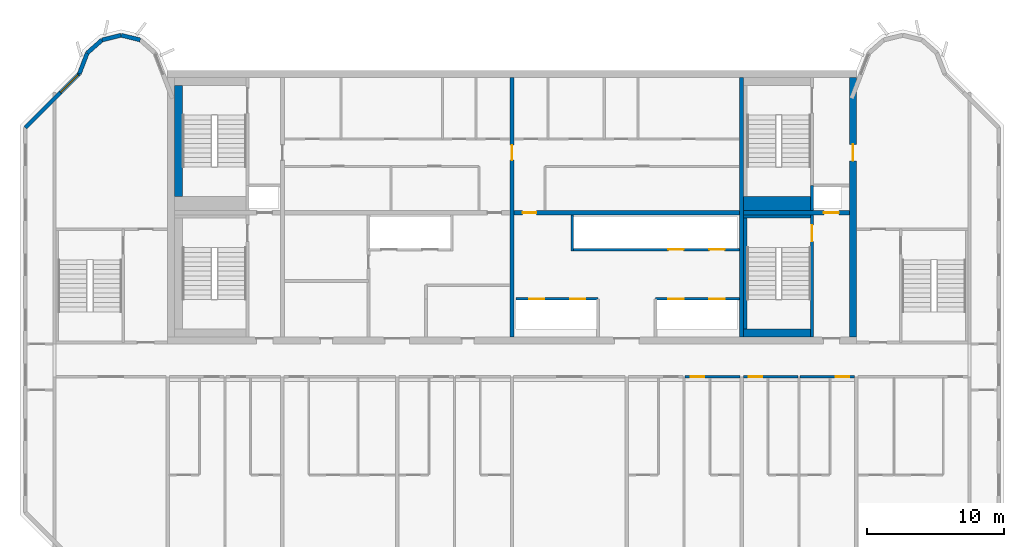
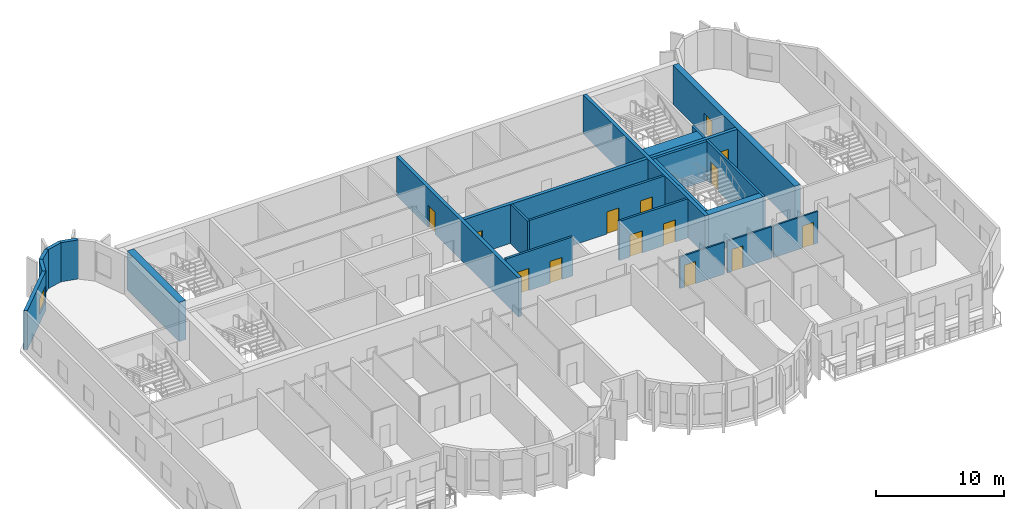
# One storey, part 6 of 12: 24 walls, 14 doors, 1 window, 15 openings.
"""IFC4 building model written with IfcOpenShell, lengths in metres."""

from ifc_helpers import new_model, si_unit, direction, frame, frame_2d, origin, place, context, subcontext, project, spatial, rectangle, extrude, source, transform, mapped, material, layer, layer_set, type_object, element, fill, save


model = new_model("IFC4")

# Units and contexts
model_context = context("Model", 3, precision=1e-05, world=origin(), true_north=direction((0.0, 1.0)))
body_context = subcontext(model_context, "Body", "Model", "MODEL_VIEW")
ifc_project = project(units=[si_unit("LENGTHUNIT", "METRE"), si_unit("AREAUNIT", "SQUARE_METRE"), si_unit("VOLUMEUNIT", "CUBIC_METRE"), si_unit("PLANEANGLEUNIT", "RADIAN"), si_unit("MASSUNIT", "GRAM", prefix="KILO")], contexts=[model_context])

# Site, building, storey
site_placement = place(None, origin())
site = spatial("IfcSite", under=ifc_project, at=site_placement, CompositionType="ELEMENT")
building_placement = place(site_placement, origin())
building = spatial("IfcBuilding", under=site, at=building_placement, Name="Vanashikhar Sky Hotel", CompositionType="ELEMENT")
storey_placement = place(building_placement, frame((0.0, 0.0, 301.699951171875)))
storey = spatial("IfcBuildingStorey", under=building, at=storey_placement, Name="L72", CompositionType="ELEMENT", Elevation=301.699951171875)

# Wall, opening, door
ifc_material_1 = material(Name="Concrete M50", Category="concrete")
ifc_layer_1 = layer(ifc_material_1, 0.5)
ifc_layer_set_1 = layer_set([ifc_layer_1], Name="RC core shell wall 500 Concrete M50")
wall_type_1 = type_object("IfcWallType", Name="RC core shell wall 500 Concrete M50", PredefinedType="SHEAR", material=ifc_layer_set_1)
shared_shape_1 = source(origin(), body_context, "Body", "SweptSolid", [
    extrude(rectangle(XDim=19.0, YDim=0.5, at=frame_2d((9.5, 0.0))), origin(), (0.0, 0.0, 1.0), 3.719970703125),
])
wall_1_placement = place(storey_placement, frame((75.35009765625, 22.5, 0.0), z_axis=(0.0, 0.0, 1.0), x_axis=(0.0, 1.0, 0.0)))
wall_1 = element("IfcWall", 1, at=wall_1_placement, inside=storey, type_object=wall_type_1, Name="KW-L72-KE", PredefinedType="SHEAR", context=body_context, shape_type="MappedRepresentation", body=[
    mapped(shared_shape_1, transform((0.0, 0.0, 0.0), scale=1.0)),
])
shared_shape_2 = source(origin(), body_context, "Body", "SweptSolid", [
    extrude(rectangle(XDim=1.199951171875, YDim=2.10009765625, at=frame_2d((0.60009765625, 1.050048828125))), frame((0.0, 0.260009765625, 0.0), z_axis=(0.0, -1.0, 0.0), x_axis=(1.0, 0.0, 0.0)), (0.0, 0.0, 1.0), 0.52001953125),
])
opening_1_placement = place(wall_1_placement, frame((12.89990234375, 0.0, 0.0)))
opening_1 = element("IfcOpeningElement", 2, at=opening_1_placement, cuts=wall_1, Name="Opening DC-4-D", PredefinedType="OPENING", context=body_context, shape_type="MappedRepresentation", body=[
    mapped(shared_shape_2, transform((0.0, 0.0, 0.0), scale=1.0)),
])
ifc_material_2 = material(Name="Steel", Category="steel")
door_type_1 = type_object("IfcDoorType", Name="Service door 1200 FD120", OperationType="NOTDEFINED", PredefinedType="DOOR", material=ifc_material_2)
shared_shape_3 = source(origin(), body_context, "Body", "SweptSolid", [
    extrude(rectangle(XDim=1.199951171875, YDim=2.10009765625, at=frame_2d((0.60009765625, 1.050048828125))), frame((0.0, 0.02490234375, 0.0), z_axis=(0.0, -1.0, 0.0), x_axis=(1.0, 0.0, 0.0)), (0.0, 0.0, 1.0), 0.050048828125),
])
door_1_placement = place(opening_1_placement, origin())
door_1 = element("IfcDoor", 3, at=door_1_placement, inside=storey, type_object=door_type_1, Name="Service door 1200 FD120", OperationType="SINGLE_SWING_LEFT", OverallHeight=2.10009765625, OverallWidth=1.199951171875, PredefinedType="DOOR", context=body_context, shape_type="MappedRepresentation", body=[
    mapped(shared_shape_3, transform((0.0, 0.0, 0.0), scale=1.0)),
])
fill(opening_1, door_1)

ifc_layer_2 = layer(ifc_material_1, 0.300048828125)
ifc_layer_set_2 = layer_set([ifc_layer_2], Name="RC core inner wall 300 Concrete M50")
wall_type_2 = type_object("IfcWallType", Name="RC core inner wall 300 Concrete M50", PredefinedType="SHEAR", material=ifc_layer_set_2)
shared_shape_4 = source(origin(), body_context, "Body", "SweptSolid", [
    extrude(rectangle(XDim=19.0, YDim=0.300048828125, at=frame_2d((9.5, 0.0))), origin(), (0.0, 0.0, 1.0), 3.719970703125),
])
wall_2_placement = place(storey_placement, frame((50.39990234375, 22.5, 0.0), z_axis=(0.0, 0.0, 1.0), x_axis=(0.0, 1.0, 0.0)))
wall_2 = element("IfcWall", 4, at=wall_2_placement, inside=storey, type_object=wall_type_2, Name="KW-L72-KX2", PredefinedType="SHEAR", context=body_context, shape_type="MappedRepresentation", body=[
    mapped(shared_shape_4, transform((0.0, 0.0, 0.0), scale=1.0)),
])
shared_shape_5 = source(origin(), body_context, "Body", "SweptSolid", [
    extrude(rectangle(XDim=1.10009765625, YDim=2.10009765625, at=frame_2d((0.550048828125, 1.050048828125))), frame((0.0, 0.16015625, 0.0), z_axis=(0.0, -1.0, 0.0), x_axis=(1.0, 0.0, 0.0)), (0.0, 0.0, 1.0), 0.320068359375),
])
opening_2_placement = place(wall_2_placement, frame((12.949951171875, 0.0, 0.0)))
opening_2 = element("IfcOpeningElement", 5, at=opening_2_placement, cuts=wall_2, Name="Opening DC-4-C", PredefinedType="OPENING", context=body_context, shape_type="MappedRepresentation", body=[
    mapped(shared_shape_5, transform((0.0, 0.0, 0.0), scale=1.0)),
])
door_type_2 = type_object("IfcDoorType", Name="Service door 1100 FD60", OperationType="NOTDEFINED", PredefinedType="DOOR", material=ifc_material_2)
shared_shape_6 = source(origin(), body_context, "Body", "SweptSolid", [
    extrude(rectangle(XDim=1.10009765625, YDim=2.10009765625, at=frame_2d((0.550048828125, 1.050048828125))), frame((0.0, 0.02490234375, 0.0), z_axis=(0.0, -1.0, 0.0), x_axis=(1.0, 0.0, 0.0)), (0.0, 0.0, 1.0), 0.050048828125),
])
door_2_placement = place(opening_2_placement, origin())
door_2 = element("IfcDoor", 6, at=door_2_placement, inside=storey, type_object=door_type_2, Name="Service door 1100 FD60", OperationType="SINGLE_SWING_LEFT", OverallHeight=2.10009765625, OverallWidth=1.10009765625, PredefinedType="DOOR", context=body_context, shape_type="MappedRepresentation", body=[
    mapped(shared_shape_6, transform((0.0, 0.0, 0.0), scale=1.0)),
])
fill(opening_2, door_2)

# Wall
wall_3_placement = place(storey_placement, frame((67.199951171875, 22.5, 0.0), z_axis=(0.0, 0.0, 1.0), x_axis=(0.0, 1.0, 0.0)))
element("IfcWall", 7, at=wall_3_placement, inside=storey, type_object=wall_type_2, Name="KW-L72-KX3", PredefinedType="SHEAR", context=body_context, shape_type="MappedRepresentation", body=[
    mapped(shared_shape_4, transform((0.0, 0.0, 0.0), scale=1.0)),
])

# Wall, opening, door
shared_shape_7 = source(origin(), body_context, "Body", "SweptSolid", [
    extrude(rectangle(XDim=7.75, YDim=0.300048828125, at=frame_2d((3.875, 0.0))), origin(), (0.0, 0.0, 1.0), 3.719970703125),
])
wall_4_placement = place(storey_placement, frame((67.35009765625, 31.60009765625, 0.0), z_axis=(0.0, 0.0, 1.0), x_axis=(1.0, 0.0, 0.0)))
wall_4 = element("IfcWall", 8, at=wall_4_placement, inside=storey, type_object=wall_type_2, Name="KW-L72-KY4", PredefinedType="SHEAR", context=body_context, shape_type="MappedRepresentation", body=[
    mapped(shared_shape_7, transform((0.0, 0.0, 0.0), scale=1.0)),
])
opening_3_placement = place(wall_4_placement, frame((5.875, 0.0, 0.0)))
opening_3 = element("IfcOpeningElement", 9, at=opening_3_placement, cuts=wall_4, Name="Opening LD", PredefinedType="OPENING", context=body_context, shape_type="MappedRepresentation", body=[
    mapped(shared_shape_5, transform((0.0, 0.0, 0.0), scale=1.0)),
])
ifc_material_3 = material(Name="Stainless steel", Category="steel")
door_type_3 = type_object("IfcDoorType", Name="Lift landing door 1100", OperationType="NOTDEFINED", PredefinedType="DOOR", material=ifc_material_3)
door_3_placement = place(opening_3_placement, origin())
door_3 = element("IfcDoor", 10, at=door_3_placement, inside=storey, type_object=door_type_3, Name="Lift landing door 1100", OperationType="SLIDING_TO_LEFT", OverallHeight=2.10009765625, OverallWidth=1.10009765625, PredefinedType="DOOR", context=body_context, shape_type="MappedRepresentation", body=[
    mapped(shared_shape_6, transform((0.0, 0.0, 0.0), scale=1.0)),
])
fill(opening_3, door_3)

shared_shape_8 = source(origin(), body_context, "Body", "SweptSolid", [
    extrude(rectangle(XDim=16.5, YDim=0.300048828125, at=frame_2d((8.25, 0.0))), origin(), (0.0, 0.0, 1.0), 3.719970703125),
])
wall_5_placement = place(storey_placement, frame((50.550048828125, 31.60009765625, 0.0), z_axis=(0.0, 0.0, 1.0), x_axis=(1.0, 0.0, 0.0)))
wall_5 = element("IfcWall", 11, at=wall_5_placement, inside=storey, type_object=wall_type_2, Name="KW-L72-KY3", PredefinedType="SHEAR", context=body_context, shape_type="MappedRepresentation", body=[
    mapped(shared_shape_8, transform((0.0, 0.0, 0.0), scale=1.0)),
])
shared_shape_9 = source(origin(), body_context, "Body", "SweptSolid", [
    extrude(rectangle(XDim=1.0, YDim=2.10009765625, at=frame_2d((0.5, 1.050048828125))), frame((0.0, 0.16015625, 0.0), z_axis=(0.0, -1.0, 0.0), x_axis=(1.0, 0.0, 0.0)), (0.0, 0.0, 1.0), 0.320068359375),
])
opening_4_placement = place(wall_5_placement, frame((0.625, 0.0, 0.0)))
opening_4 = element("IfcOpeningElement", 12, at=opening_4_placement, cuts=wall_5, Name="Opening DC-4", PredefinedType="OPENING", context=body_context, shape_type="MappedRepresentation", body=[
    mapped(shared_shape_9, transform((0.0, 0.0, 0.0), scale=1.0)),
])
door_type_4 = type_object("IfcDoorType", Name="Service door 1000 FD60", OperationType="NOTDEFINED", PredefinedType="DOOR", material=ifc_material_2)
shared_shape_10 = source(origin(), body_context, "Body", "SweptSolid", [
    extrude(rectangle(XDim=1.0, YDim=2.10009765625, at=frame_2d((0.5, 1.050048828125))), frame((0.0, 0.02490234375, 0.0), z_axis=(0.0, -1.0, 0.0), x_axis=(1.0, 0.0, 0.0)), (0.0, 0.0, 1.0), 0.050048828125),
])
door_4_placement = place(opening_4_placement, origin())
door_4 = element("IfcDoor", 13, at=door_4_placement, inside=storey, type_object=door_type_4, Name="Service door 1000 FD60", OperationType="SINGLE_SWING_RIGHT", OverallHeight=2.10009765625, OverallWidth=1.0, PredefinedType="DOOR", context=body_context, shape_type="MappedRepresentation", body=[
    mapped(shared_shape_10, transform((0.0, 0.0, 0.0), scale=1.0)),
])
fill(opening_4, door_4)

# Wall, opening, window
ifc_layer_3 = layer(ifc_material_1, 0.300048828125)
ifc_layer_set_3 = layer_set([ifc_layer_3], Name="Lobe wall 300")
wall_type_3 = type_object("IfcWallType", Name="Lobe wall 300", PredefinedType="SOLIDWALL", material=ifc_layer_set_3)
shared_shape_11 = source(origin(), body_context, "Body", "SweptSolid", [
    extrude(rectangle(XDim=5.576416015625, YDim=0.300048828125, at=frame_2d((2.7880859375, 0.0))), origin(), (0.0, 0.0, 1.0), 3.719970703125),
])
wall_6_placement = place(storey_placement, frame((18.7431640625, 41.77734375, 0.0), z_axis=(0.0, 0.0, 1.0), x_axis=(-0.707106781187, -0.707106781187, 0.0)))
wall_6 = element("IfcWall", 14, at=wall_6_placement, inside=storey, type_object=wall_type_3, Name="Corner wall", PredefinedType="SOLIDWALL", context=body_context, shape_type="MappedRepresentation", body=[
    mapped(shared_shape_11, transform((0.0, 0.0, 0.0), scale=1.0)),
])
shared_shape_12 = source(origin(), body_context, "Body", "SweptSolid", [
    extrude(rectangle(XDim=1.800048828125, YDim=1.5, at=frame_2d((0.89990234375, 0.75))), frame((0.0, 0.16015625, 0.0), z_axis=(0.0, -1.0, 0.0), x_axis=(1.0, 0.0, 0.0)), (0.0, 0.0, 1.0), 0.320068359375),
])
opening_5_placement = place(wall_6_placement, frame((0.135498046875, 0.0, 0.89990234375)))
opening_5 = element("IfcOpeningElement", 15, at=opening_5_placement, cuts=wall_6, Name="Opening WN-4", PredefinedType="OPENING", context=body_context, shape_type="MappedRepresentation", body=[
    mapped(shared_shape_12, transform((0.0, 0.0, 0.0), scale=1.0)),
])
ifc_material_4 = material(Name="Glass", Category="glass")
window_type = type_object("IfcWindowType", Name="Corner window 1800 x 1500", PartitioningType="SINGLE_PANEL", PredefinedType="WINDOW", material=ifc_material_4)
shared_shape_13 = source(origin(), body_context, "Body", "SweptSolid", [
    extrude(rectangle(XDim=1.800048828125, YDim=1.5, at=frame_2d((0.89990234375, 0.75))), frame((0.0, 0.030029296875, 0.0), z_axis=(0.0, -1.0, 0.0), x_axis=(1.0, 0.0, 0.0)), (0.0, 0.0, 1.0), 0.06005859375),
])
window_placement = place(opening_5_placement, origin())
window = element("IfcWindow", 16, at=window_placement, inside=storey, type_object=window_type, Name="Window WN-4", OverallHeight=1.5, OverallWidth=1.800048828125, PartitioningType="SINGLE_PANEL", PredefinedType="WINDOW", context=body_context, shape_type="MappedRepresentation", body=[
    mapped(shared_shape_13, transform((0.0, 0.0, 0.0), scale=1.0)),
])
fill(opening_5, window)

# Walls
shared_shape_14 = source(origin(), body_context, "Body", "SweptSolid", [
    extrude(rectangle(XDim=1.6220703125, YDim=0.300048828125, at=frame_2d((0.81103515625, 0.0))), origin(), (0.0, 0.0, 1.0), 3.719970703125),
])
wall_7_placement = place(storey_placement, frame((19.323486328125, 43.2919921875, 0.0), z_axis=(0.0, 0.0, 1.0), x_axis=(-0.357778527068, -0.933806471154, 0.0)))
element("IfcWall", 17, at=wall_7_placement, inside=storey, type_object=wall_type_3, Name="Lobe wall", PredefinedType="SOLIDWALL", context=body_context, shape_type="MappedRepresentation", body=[
    mapped(shared_shape_14, transform((0.0, 0.0, 0.0), scale=1.0)),
])
shared_shape_15 = source(origin(), body_context, "Body", "SweptSolid", [
    extrude(rectangle(XDim=1.43994140625, YDim=0.300048828125, at=frame_2d((0.719970703125, 0.0))), origin(), (0.0, 0.0, 1.0), 3.719970703125),
])
wall_8_placement = place(storey_placement, frame((20.40283203125, 44.2451171875, 0.0), z_axis=(0.0, 0.0, 1.0), x_axis=(-0.74957555648, -0.661918790432, 0.0)))
element("IfcWall", 18, at=wall_8_placement, inside=storey, type_object=wall_type_3, Name="Lobe wall", PredefinedType="SOLIDWALL", context=body_context, shape_type="MappedRepresentation", body=[
    mapped(shared_shape_15, transform((0.0, 0.0, 0.0), scale=1.0)),
])
shared_shape_16 = source(origin(), body_context, "Body", "SweptSolid", [
    extrude(rectangle(XDim=1.438720703125, YDim=0.300048828125, at=frame_2d((0.71923828125, 0.0))), origin(), (0.0, 0.0, 1.0), 3.719970703125),
])
wall_9_placement = place(storey_placement, frame((21.800048828125, 44.588134765625, 0.0), z_axis=(0.0, 0.0, 1.0), x_axis=(-0.971161932466, -0.238420848351, 0.0)))
element("IfcWall", 19, at=wall_9_placement, inside=storey, type_object=wall_type_3, Name="Lobe wall", PredefinedType="SOLIDWALL", context=body_context, shape_type="MappedRepresentation", body=[
    mapped(shared_shape_16, transform((0.0, 0.0, 0.0), scale=1.0)),
])
shared_shape_17 = source(origin(), body_context, "Body", "SweptSolid", [
    extrude(rectangle(XDim=1.4384765625, YDim=0.300048828125, at=frame_2d((0.71923828125, 0.0))), origin(), (0.0, 0.0, 1.0), 3.719970703125),
])
wall_10_placement = place(storey_placement, frame((23.197021484375, 44.2451171875, 0.0), z_axis=(0.0, 0.0, 1.0), x_axis=(-0.971152283879, 0.238460146601, 0.0)))
element("IfcWall", 20, at=wall_10_placement, inside=storey, type_object=wall_type_3, Name="Lobe wall", PredefinedType="SOLIDWALL", context=body_context, shape_type="MappedRepresentation", body=[
    mapped(shared_shape_17, transform((0.0, 0.0, 0.0), scale=1.0)),
])

# Wall, openings, doors
ifc_material_5 = material(Name="Concrete M40", Category="concrete")
ifc_layer_4 = layer(ifc_material_5, 0.199951171875)
ifc_layer_set_4 = layer_set([ifc_layer_4], Name="Shaft wall 200")
wall_type_4 = type_object("IfcWallType", Name="Shaft wall 200", PredefinedType="SOLIDWALL", material=ifc_layer_set_4)
shared_shape_18 = source(origin(), body_context, "Body", "SweptSolid", [
    extrude(rectangle(XDim=6.0, YDim=0.199951171875, at=frame_2d((3.0, 0.0))), origin(), (0.0, 0.0, 1.0), 3.719970703125),
])
wall_11_placement = place(storey_placement, frame((56.699951171875, 25.300048828125, 0.0), z_axis=(0.0, 0.0, 1.0), x_axis=(-1.0, 0.0, 0.0)))
wall_11 = element("IfcWall", 21, at=wall_11_placement, inside=storey, type_object=wall_type_4, Name="Shaft wall 200", PredefinedType="SOLIDWALL", context=body_context, shape_type="MappedRepresentation", body=[
    mapped(shared_shape_18, transform((0.0, 0.0, 0.0), scale=1.0)),
])
shared_shape_19 = source(origin(), body_context, "Body", "SweptSolid", [
    extrude(rectangle(XDim=1.10009765625, YDim=2.10009765625, at=frame_2d((0.550048828125, 1.050048828125))), frame((0.0, 0.10986328125, 0.0), z_axis=(0.0, -1.0, 0.0), x_axis=(1.0, 0.0, 0.0)), (0.0, 0.0, 1.0), 0.219970703125),
])
opening_6_placement = place(wall_11_placement, frame((0.949951171875, 0.0, 0.0)))
opening_6 = element("IfcOpeningElement", 22, at=opening_6_placement, cuts=wall_11, Name="Opening LD", PredefinedType="OPENING", context=body_context, shape_type="MappedRepresentation", body=[
    mapped(shared_shape_19, transform((0.0, 0.0, 0.0), scale=1.0)),
])
opening_7_placement = place(wall_11_placement, frame((3.949951171875, 0.0, 0.0)))
opening_7 = element("IfcOpeningElement", 23, at=opening_7_placement, cuts=wall_11, Name="Opening LD", PredefinedType="OPENING", context=body_context, shape_type="MappedRepresentation", body=[
    mapped(shared_shape_19, transform((0.0, 0.0, 0.0), scale=1.0)),
])
door_5_placement = place(opening_6_placement, origin())
door_5 = element("IfcDoor", 24, at=door_5_placement, inside=storey, type_object=door_type_3, Name="Lift landing door 1100", OperationType="SLIDING_TO_RIGHT", OverallHeight=2.10009765625, OverallWidth=1.10009765625, PredefinedType="DOOR", context=body_context, shape_type="MappedRepresentation", body=[
    mapped(shared_shape_6, transform((0.0, 0.0, 0.0), scale=1.0)),
])
fill(opening_6, door_5)
door_6_placement = place(opening_7_placement, origin())
door_6 = element("IfcDoor", 25, at=door_6_placement, inside=storey, type_object=door_type_3, Name="Lift landing door 1100", OperationType="SLIDING_TO_LEFT", OverallHeight=2.10009765625, OverallWidth=1.10009765625, PredefinedType="DOOR", context=body_context, shape_type="MappedRepresentation", body=[
    mapped(shared_shape_6, transform((0.0, 0.0, 0.0), scale=1.0)),
])
fill(opening_7, door_6)

# Wall
shared_shape_20 = source(origin(), body_context, "Body", "SweptSolid", [
    extrude(rectangle(XDim=2.64990234375, YDim=0.199951171875, at=frame_2d((1.324951171875, 0.0))), origin(), (0.0, 0.0, 1.0), 3.719970703125),
])
wall_12_placement = place(storey_placement, frame((54.800048828125, 28.800048828125, 0.0), z_axis=(0.0, 0.0, 1.0), x_axis=(0.0, 1.0, 0.0)))
element("IfcWall", 26, at=wall_12_placement, inside=storey, type_object=wall_type_4, Name="Shaft wall 200", PredefinedType="SOLIDWALL", context=body_context, shape_type="MappedRepresentation", body=[
    mapped(shared_shape_20, transform((0.0, 0.0, 0.0), scale=1.0)),
])

# Wall, openings, doors
shared_shape_21 = source(origin(), body_context, "Body", "SweptSolid", [
    extrude(rectangle(XDim=6.150146484375, YDim=0.199951171875, at=frame_2d((3.0751953125, 0.0))), origin(), (0.0, 0.0, 1.0), 3.719970703125),
])
wall_13_placement = place(storey_placement, frame((67.050048828125, 25.300048828125, 0.0), z_axis=(0.0, 0.0, 1.0), x_axis=(-1.0, 0.0, 0.0)))
wall_13 = element("IfcWall", 27, at=wall_13_placement, inside=storey, type_object=wall_type_4, Name="Shaft wall 200", PredefinedType="SOLIDWALL", context=body_context, shape_type="MappedRepresentation", body=[
    mapped(shared_shape_21, transform((0.0, 0.0, 0.0), scale=1.0)),
])
opening_8_placement = place(wall_13_placement, frame((1.10009765625, 0.0, 0.0)))
opening_8 = element("IfcOpeningElement", 28, at=opening_8_placement, cuts=wall_13, Name="Opening LD", PredefinedType="OPENING", context=body_context, shape_type="MappedRepresentation", body=[
    mapped(shared_shape_19, transform((0.0, 0.0, 0.0), scale=1.0)),
])
opening_9_placement = place(wall_13_placement, frame((4.10009765625, 0.0, 0.0)))
opening_9 = element("IfcOpeningElement", 29, at=opening_9_placement, cuts=wall_13, Name="Opening LD", PredefinedType="OPENING", context=body_context, shape_type="MappedRepresentation", body=[
    mapped(shared_shape_19, transform((0.0, 0.0, 0.0), scale=1.0)),
])
door_7_placement = place(opening_8_placement, origin())
door_7 = element("IfcDoor", 30, at=door_7_placement, inside=storey, type_object=door_type_3, Name="Lift landing door 1100", OperationType="SLIDING_TO_RIGHT", OverallHeight=2.10009765625, OverallWidth=1.10009765625, PredefinedType="DOOR", context=body_context, shape_type="MappedRepresentation", body=[
    mapped(shared_shape_6, transform((0.0, 0.0, 0.0), scale=1.0)),
])
fill(opening_8, door_7)
door_8_placement = place(opening_9_placement, origin())
door_8 = element("IfcDoor", 31, at=door_8_placement, inside=storey, type_object=door_type_3, Name="Lift landing door 1100", OperationType="SLIDING_TO_LEFT", OverallHeight=2.10009765625, OverallWidth=1.10009765625, PredefinedType="DOOR", context=body_context, shape_type="MappedRepresentation", body=[
    mapped(shared_shape_6, transform((0.0, 0.0, 0.0), scale=1.0)),
])
fill(opening_9, door_8)

shared_shape_22 = source(origin(), body_context, "Body", "SweptSolid", [
    extrude(rectangle(XDim=12.150146484375, YDim=0.199951171875, at=frame_2d((6.0751953125, 0.0))), origin(), (0.0, 0.0, 1.0), 3.719970703125),
])
wall_14_placement = place(storey_placement, frame((67.050048828125, 28.89990234375, 0.0), z_axis=(0.0, 0.0, 1.0), x_axis=(-1.0, 0.0, 0.0)))
wall_14 = element("IfcWall", 32, at=wall_14_placement, inside=storey, type_object=wall_type_4, Name="Shaft wall 200", PredefinedType="SOLIDWALL", context=body_context, shape_type="MappedRepresentation", body=[
    mapped(shared_shape_22, transform((0.0, 0.0, 0.0), scale=1.0)),
])
opening_10_placement = place(wall_14_placement, frame((1.10009765625, 0.0, 0.0)))
opening_10 = element("IfcOpeningElement", 33, at=opening_10_placement, cuts=wall_14, Name="Opening LD", PredefinedType="OPENING", context=body_context, shape_type="MappedRepresentation", body=[
    mapped(shared_shape_19, transform((0.0, 0.0, 0.0), scale=1.0)),
])
opening_11_placement = place(wall_14_placement, frame((4.10009765625, 0.0, 0.0)))
opening_11 = element("IfcOpeningElement", 34, at=opening_11_placement, cuts=wall_14, Name="Opening LD", PredefinedType="OPENING", context=body_context, shape_type="MappedRepresentation", body=[
    mapped(shared_shape_19, transform((0.0, 0.0, 0.0), scale=1.0)),
])
door_9_placement = place(opening_10_placement, origin())
door_9 = element("IfcDoor", 35, at=door_9_placement, inside=storey, type_object=door_type_3, Name="Lift landing door 1100", OperationType="SLIDING_TO_RIGHT", OverallHeight=2.10009765625, OverallWidth=1.10009765625, PredefinedType="DOOR", context=body_context, shape_type="MappedRepresentation", body=[
    mapped(shared_shape_6, transform((0.0, 0.0, 0.0), scale=1.0)),
])
fill(opening_10, door_9)
door_10_placement = place(opening_11_placement, origin())
door_10 = element("IfcDoor", 36, at=door_10_placement, inside=storey, type_object=door_type_3, Name="Lift landing door 1100", OperationType="SLIDING_TO_LEFT", OverallHeight=2.10009765625, OverallWidth=1.10009765625, PredefinedType="DOOR", context=body_context, shape_type="MappedRepresentation", body=[
    mapped(shared_shape_6, transform((0.0, 0.0, 0.0), scale=1.0)),
])
fill(opening_11, door_10)

# Wall, opening, door
ifc_layer_5 = layer(ifc_material_1, 0.199951171875)
ifc_layer_set_5 = layer_set([ifc_layer_5], Name="Stair wall 200")
wall_type_5 = type_object("IfcWallType", Name="Stair wall 200", PredefinedType="SOLIDWALL", material=ifc_layer_set_5)
shared_shape_23 = source(origin(), body_context, "Body", "SweptSolid", [
    extrude(rectangle(XDim=8.949951171875, YDim=0.199951171875, at=frame_2d((4.47509765625, 0.0))), origin(), (0.0, 0.0, 1.0), 3.719970703125),
])
wall_15_placement = place(storey_placement, frame((72.35009765625, 22.5, 0.0), z_axis=(0.0, 0.0, 1.0), x_axis=(0.0, 1.0, 0.0)))
wall_15 = element("IfcWall", 37, at=wall_15_placement, inside=storey, type_object=wall_type_5, Name="Stair wall 200", PredefinedType="SOLIDWALL", context=body_context, shape_type="MappedRepresentation", body=[
    mapped(shared_shape_23, transform((0.0, 0.0, 0.0), scale=1.0)),
])
shared_shape_24 = source(origin(), body_context, "Body", "SweptSolid", [
    extrude(rectangle(XDim=1.199951171875, YDim=2.10009765625, at=frame_2d((0.60009765625, 1.050048828125))), frame((0.0, 0.10986328125, 0.0), z_axis=(0.0, -1.0, 0.0), x_axis=(1.0, 0.0, 0.0)), (0.0, 0.0, 1.0), 0.219970703125),
])
opening_12_placement = place(wall_15_placement, frame((7.0, 0.0, 0.0)))
opening_12 = element("IfcOpeningElement", 38, at=opening_12_placement, cuts=wall_15, Name="Opening DC-1", PredefinedType="OPENING", context=body_context, shape_type="MappedRepresentation", body=[
    mapped(shared_shape_24, transform((0.0, 0.0, 0.0), scale=1.0)),
])
door_type_5 = type_object("IfcDoorType", Name="Stair door 1200 FD120", OperationType="NOTDEFINED", PredefinedType="DOOR", material=ifc_material_2)
door_11_placement = place(opening_12_placement, origin())
door_11 = element("IfcDoor", 39, at=door_11_placement, inside=storey, type_object=door_type_5, Name="Stair door 1200 FD120", OperationType="SINGLE_SWING_RIGHT", OverallHeight=2.10009765625, OverallWidth=1.199951171875, PredefinedType="DOOR", context=body_context, shape_type="MappedRepresentation", body=[
    mapped(shared_shape_3, transform((0.0, 0.0, 0.0), scale=1.0)),
])
fill(opening_12, door_11)

# Walls
shared_shape_25 = source(origin(), body_context, "Body", "SweptSolid", [
    extrude(rectangle(XDim=1.85009765625, YDim=0.199951171875, at=frame_2d((0.925048828125, 0.0))), origin(), (0.0, 0.0, 1.0), 3.719970703125),
])
wall_16_placement = place(storey_placement, frame((72.35009765625, 31.75, 0.0), z_axis=(0.0, 0.0, 1.0), x_axis=(0.0, 1.0, 0.0)))
element("IfcWall", 40, at=wall_16_placement, inside=storey, type_object=wall_type_4, Name="Shaft wall 200", PredefinedType="SOLIDWALL", context=body_context, shape_type="MappedRepresentation", body=[
    mapped(shared_shape_25, transform((0.0, 0.0, 0.0), scale=1.0)),
])
ifc_layer_6 = layer(ifc_material_1, 0.60009765625)
ifc_layer_set_6 = layer_set([ifc_layer_6], Name="Stair infill wall 600")
wall_type_6 = type_object("IfcWallType", Name="Stair infill wall 600", PredefinedType="SOLIDWALL", material=ifc_layer_set_6)
shared_shape_26 = source(origin(), body_context, "Body", "SweptSolid", [
    extrude(rectangle(XDim=8.099853515625, YDim=0.60009765625, at=frame_2d((4.0498046875, 0.0))), origin(), (0.0, 0.0, 1.0), 3.719970703125),
])
wall_17_placement = place(storey_placement, frame((26.0, 32.800048828125, 0.0), z_axis=(0.0, 0.0, 1.0), x_axis=(0.0, 1.0, 0.0)))
element("IfcWall", 41, at=wall_17_placement, inside=storey, type_object=wall_type_6, Name="Stair infill wall 600", PredefinedType="SOLIDWALL", context=body_context, shape_type="MappedRepresentation", body=[
    mapped(shared_shape_26, transform((0.0, 0.0, 0.0), scale=1.0)),
])
shared_shape_27 = source(origin(), body_context, "Body", "SweptSolid", [
    extrude(rectangle(XDim=4.89990234375, YDim=0.60009765625, at=frame_2d((2.449951171875, 0.0))), origin(), (0.0, 0.0, 1.0), 3.719970703125),
])
wall_18_placement = place(storey_placement, frame((67.35009765625, 22.800048828125, 0.0), z_axis=(0.0, 0.0, 1.0), x_axis=(1.0, 0.0, 0.0)))
element("IfcWall", 42, at=wall_18_placement, inside=storey, type_object=wall_type_6, Name="Stair infill wall 600", PredefinedType="SOLIDWALL", context=body_context, shape_type="MappedRepresentation", body=[
    mapped(shared_shape_27, transform((0.0, 0.0, 0.0), scale=1.0)),
])
ifc_layer_7 = layer(ifc_material_1, 0.25)
ifc_layer_set_7 = layer_set([ifc_layer_7], Name="Stair infill wall 250")
wall_type_7 = type_object("IfcWallType", Name="Stair infill wall 250", PredefinedType="SOLIDWALL", material=ifc_layer_set_7)
shared_shape_28 = source(origin(), body_context, "Body", "SweptSolid", [
    extrude(rectangle(XDim=4.89990234375, YDim=0.25, at=frame_2d((2.449951171875, 0.0))), origin(), (0.0, 0.0, 1.0), 3.719970703125),
])
wall_19_placement = place(storey_placement, frame((67.35009765625, 31.324951171875, 0.0), z_axis=(0.0, 0.0, 1.0), x_axis=(1.0, 0.0, 0.0)))
element("IfcWall", 43, at=wall_19_placement, inside=storey, type_object=wall_type_7, Name="Stair infill wall 250", PredefinedType="SOLIDWALL", context=body_context, shape_type="MappedRepresentation", body=[
    mapped(shared_shape_28, transform((0.0, 0.0, 0.0), scale=1.0)),
])
shared_shape_29 = source(origin(), body_context, "Body", "SweptSolid", [
    extrude(rectangle(XDim=8.099853515625, YDim=0.25, at=frame_2d((4.0498046875, 0.0))), origin(), (0.0, 0.0, 1.0), 3.719970703125),
])
wall_20_placement = place(storey_placement, frame((67.47509765625, 23.10009765625, 0.0), z_axis=(0.0, 0.0, 1.0), x_axis=(0.0, 1.0, 0.0)))
element("IfcWall", 44, at=wall_20_placement, inside=storey, type_object=wall_type_7, Name="Stair infill wall 250", PredefinedType="SOLIDWALL", context=body_context, shape_type="MappedRepresentation", body=[
    mapped(shared_shape_29, transform((0.0, 0.0, 0.0), scale=1.0)),
])
ifc_layer_8 = layer(ifc_material_1, 1.050048828125)
ifc_layer_set_8 = layer_set([ifc_layer_8], Name="Stair infill wall 1050")
wall_type_8 = type_object("IfcWallType", Name="Stair infill wall 1050", PredefinedType="SOLIDWALL", material=ifc_layer_set_8)
shared_shape_30 = source(origin(), body_context, "Body", "SweptSolid", [
    extrude(rectangle(XDim=4.89990234375, YDim=1.050048828125, at=frame_2d((2.449951171875, 0.0))), origin(), (0.0, 0.0, 1.0), 3.719970703125),
])
wall_21_placement = place(storey_placement, frame((67.35009765625, 32.27490234375, 0.0), z_axis=(0.0, 0.0, 1.0), x_axis=(1.0, 0.0, 0.0)))
element("IfcWall", 45, at=wall_21_placement, inside=storey, type_object=wall_type_8, Name="Stair infill wall 1050", PredefinedType="SOLIDWALL", context=body_context, shape_type="MappedRepresentation", body=[
    mapped(shared_shape_30, transform((0.0, 0.0, 0.0), scale=1.0)),
])

# Wall, opening, door
ifc_material_6 = material(Name="Gypsum plasterboard partition")
ifc_layer_9 = layer(ifc_material_6, 0.14990234375)
ifc_layer_set_9 = layer_set([ifc_layer_9], Name="Corridor and demising partition 150")
wall_type_9 = type_object("IfcWallType", Name="Corridor and demising partition 150", PredefinedType="PARTITIONING", material=ifc_layer_set_9)
shared_shape_31 = source(origin(), body_context, "Body", "SweptSolid", [
    extrude(rectangle(XDim=4.0, YDim=0.14990234375, at=frame_2d((2.0, 0.0))), origin(), (0.0, 0.0, 1.0), 3.02001953125),
])
wall_22_placement = place(storey_placement, frame((63.074951171875, 19.60009765625, 0.0), z_axis=(0.0, 0.0, 1.0), x_axis=(1.0, 0.0, 0.0)))
wall_22 = element("IfcWall", 46, at=wall_22_placement, inside=storey, type_object=wall_type_9, Name="W-L72-PW027", PredefinedType="PARTITIONING", context=body_context, shape_type="MappedRepresentation", body=[
    mapped(shared_shape_31, transform((0.0, 0.0, 0.0), scale=1.0)),
])
shared_shape_32 = source(origin(), body_context, "Body", "SweptSolid", [
    extrude(rectangle(XDim=1.0, YDim=2.10009765625, at=frame_2d((0.5, 1.050048828125))), frame((0.0, 0.0849609375, 0.0), z_axis=(0.0, -1.0, 0.0), x_axis=(1.0, 0.0, 0.0)), (0.0, 0.0, 1.0), 0.169921875),
])
opening_13_placement = place(wall_22_placement, frame((0.39990234375, 0.0, 0.0)))
opening_13 = element("IfcOpeningElement", 47, at=opening_13_placement, cuts=wall_22, Name="Opening D-01", PredefinedType="OPENING", context=body_context, shape_type="MappedRepresentation", body=[
    mapped(shared_shape_32, transform((0.0, 0.0, 0.0), scale=1.0)),
])
ifc_material_7 = material(Name="Timber fire door", Category="wood")
door_type_6 = type_object("IfcDoorType", Name="Guest entry door 1000 FD30S", OperationType="NOTDEFINED", PredefinedType="DOOR", material=ifc_material_7)
door_12_placement = place(opening_13_placement, origin())
door_12 = element("IfcDoor", 48, at=door_12_placement, inside=storey, type_object=door_type_6, Name="D-L72-017", OperationType="SINGLE_SWING_LEFT", OverallHeight=2.10009765625, OverallWidth=1.0, PredefinedType="DOOR", context=body_context, shape_type="MappedRepresentation", body=[
    mapped(shared_shape_10, transform((0.0, 0.0, 0.0), scale=1.0)),
])
fill(opening_13, door_12)

wall_23_placement = place(storey_placement, frame((67.324951171875, 19.60009765625, 0.0), z_axis=(0.0, 0.0, 1.0), x_axis=(1.0, 0.0, 0.0)))
wall_23 = element("IfcWall", 49, at=wall_23_placement, inside=storey, type_object=wall_type_9, Name="W-L72-PW031", PredefinedType="PARTITIONING", context=body_context, shape_type="MappedRepresentation", body=[
    mapped(shared_shape_31, transform((0.0, 0.0, 0.0), scale=1.0)),
])
opening_14_placement = place(wall_23_placement, frame((0.39990234375, 0.0, 0.0)))
opening_14 = element("IfcOpeningElement", 50, at=opening_14_placement, cuts=wall_23, Name="Opening D-01", PredefinedType="OPENING", context=body_context, shape_type="MappedRepresentation", body=[
    mapped(shared_shape_32, transform((0.0, 0.0, 0.0), scale=1.0)),
])
door_13_placement = place(opening_14_placement, origin())
door_13 = element("IfcDoor", 51, at=door_13_placement, inside=storey, type_object=door_type_6, Name="D-L72-019", OperationType="SINGLE_SWING_LEFT", OverallHeight=2.10009765625, OverallWidth=1.0, PredefinedType="DOOR", context=body_context, shape_type="MappedRepresentation", body=[
    mapped(shared_shape_10, transform((0.0, 0.0, 0.0), scale=1.0)),
])
fill(opening_14, door_13)

wall_24_placement = place(storey_placement, frame((71.47509765625, 19.60009765625, 0.0), z_axis=(0.0, 0.0, 1.0), x_axis=(1.0, 0.0, 0.0)))
wall_24 = element("IfcWall", 52, at=wall_24_placement, inside=storey, type_object=wall_type_9, Name="W-L72-PW034", PredefinedType="PARTITIONING", context=body_context, shape_type="MappedRepresentation", body=[
    mapped(shared_shape_31, transform((0.0, 0.0, 0.0), scale=1.0)),
])
opening_15_placement = place(wall_24_placement, frame((2.60009765625, 0.0, 0.0)))
opening_15 = element("IfcOpeningElement", 53, at=opening_15_placement, cuts=wall_24, Name="Opening D-01", PredefinedType="OPENING", context=body_context, shape_type="MappedRepresentation", body=[
    mapped(shared_shape_32, transform((0.0, 0.0, 0.0), scale=1.0)),
])
door_14_placement = place(opening_15_placement, origin())
door_14 = element("IfcDoor", 54, at=door_14_placement, inside=storey, type_object=door_type_6, Name="D-L72-021", OperationType="SINGLE_SWING_RIGHT", OverallHeight=2.10009765625, OverallWidth=1.0, PredefinedType="DOOR", context=body_context, shape_type="MappedRepresentation", body=[
    mapped(shared_shape_10, transform((0.0, 0.0, 0.0), scale=1.0)),
])
fill(opening_15, door_14)

save(model, "model.ifc")
